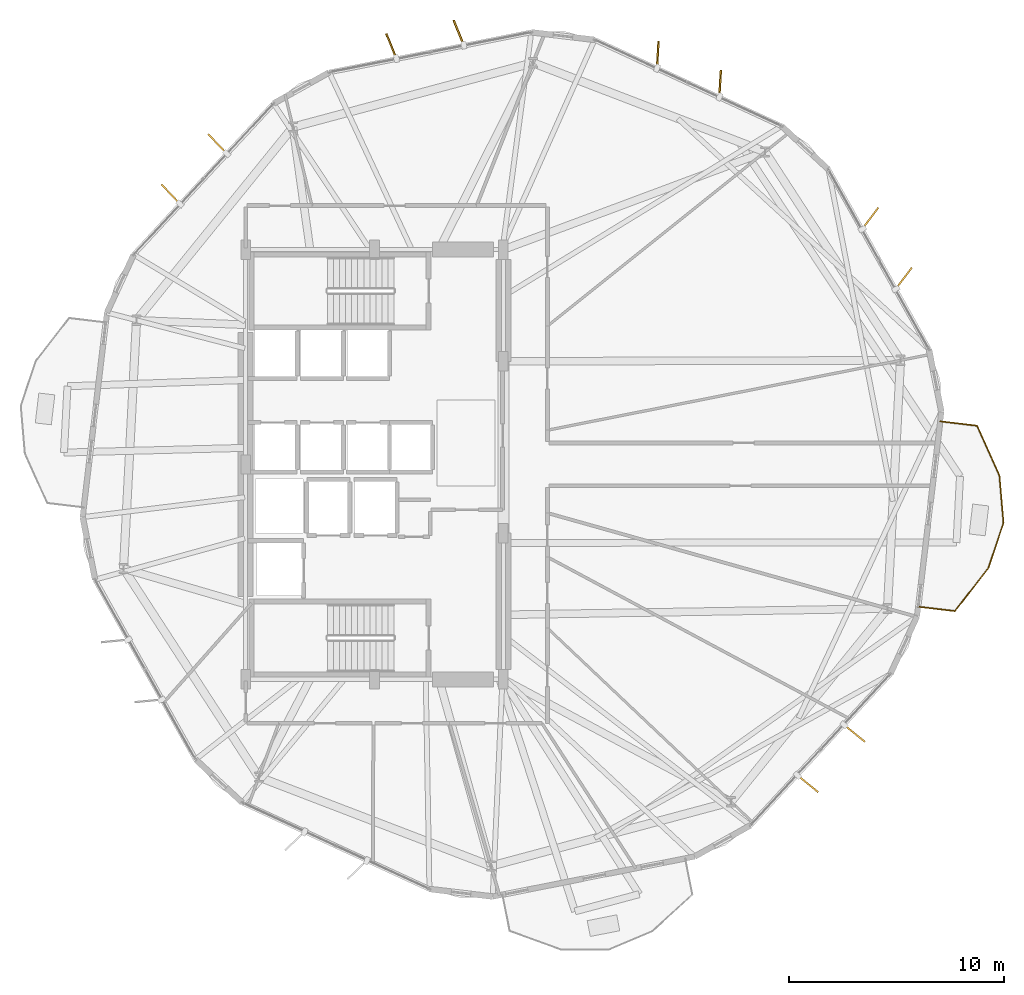
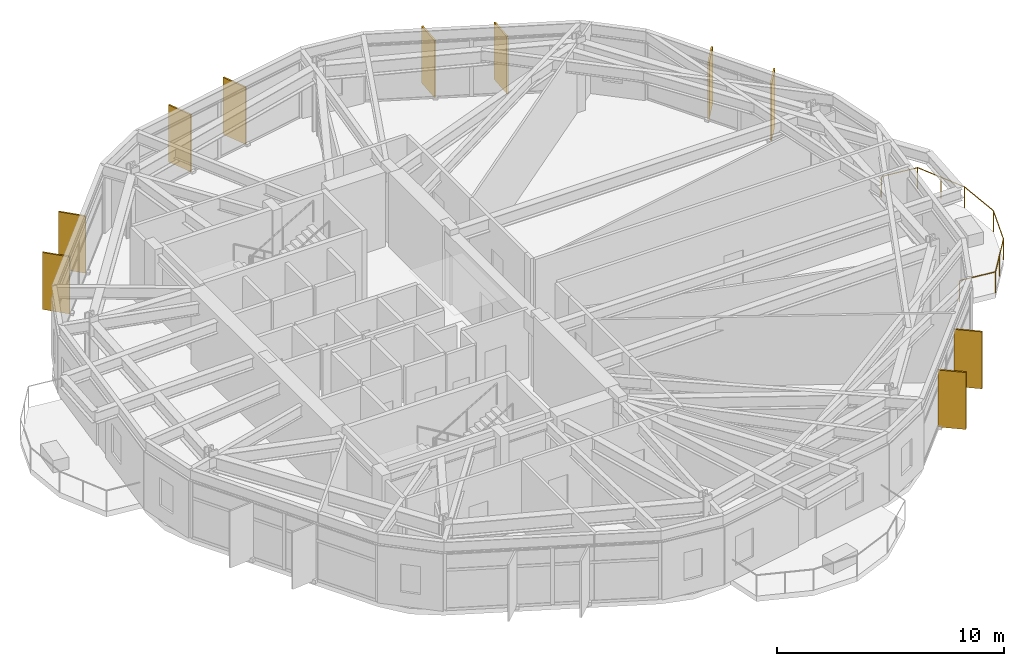
# One storey, part 22 of 22: 10 shading devices, 1 railing.
"""IFC4 building model written with IfcOpenShell, lengths in metres."""

import ifcopenshell
import ifcopenshell.guid

model = None  # the IFC model being written
_history = None  # IfcOwnerHistory: only IFC2X3 demands one
_inside = {}  # id of a spatial element -> (the spatial element, [elements in it])
_under = {}  # id of a project, library or spatial element -> (it, [spatial elements below it])
_declared = {}  # id of a project -> (the project, [libraries it declares])
_typed = {}  # id of a type object -> (the type object, [elements of that type])
_made_of = {}  # id of a material, layer set ... -> (it, [elements and type objects made of it])


def new_model(schema):
    """Start an empty IFC model of exactly this schema.

    Asked for "IFC4X3", IfcOpenShell would pick the latest addendum, in which some entities
    have other attributes; the version numbers below select the first issue.
    IFC2X3 requires an IfcOwnerHistory on every rooted entity: one is made here for all.
    """
    global model, _history
    if schema == "IFC4X3":
        model = ifcopenshell.file(schema_version=(4, 3, 0, 0))
    else:
        model = ifcopenshell.file(schema=schema)
    _inside.clear()
    _under.clear()
    _declared.clear()
    _typed.clear()
    _made_of.clear()
    _history = None
    if model.schema == "IFC2X3":
        org = make("IfcOrganization", Name="unknown")
        user = make(
            "IfcPersonAndOrganization",
            ThePerson=make("IfcPerson", FamilyName="unknown"),
            TheOrganization=org,
        )
        app = make(
            "IfcApplication",
            ApplicationDeveloper=org,
            Version="unknown",
            ApplicationFullName="unknown",
            ApplicationIdentifier="unknown",
        )
        _history = make(
            "IfcOwnerHistory",
            OwningUser=user,
            OwningApplication=app,
            ChangeAction="ADDED",
            CreationDate=0,
        )
    return model


def make(cls, **values):
    """One entity of the class cls with the attributes given. An attribute that is None is left unset."""
    return model.create_entity(
        cls, **{name: value for name, value in values.items() if value is not None}
    )


def rooted(cls, **values):
    """An entity with a GlobalId (a new one), such as an element, a storey or a relation."""
    return make(cls, GlobalId=ifcopenshell.guid.new(), OwnerHistory=_history, **values)


def si_unit(unit_type, name, prefix=None):
    """IfcSIUnit, for example si_unit("LENGTHUNIT", "METRE", prefix="MILLI")."""
    return make("IfcSIUnit", UnitType=unit_type, Prefix=prefix, Name=name)


def assignment(units):
    """IfcUnitAssignment: the units of a project."""
    return None if units is None else make("IfcUnitAssignment", Units=units)


def point(xyz):
    """IfcCartesianPoint."""
    return None if xyz is None else make("IfcCartesianPoint", Coordinates=xyz)


def direction(xyz):
    """IfcDirection."""
    return None if xyz is None else make("IfcDirection", DirectionRatios=xyz)


def frame(location, z_axis=None, x_axis=None):
    """IfcAxis2Placement3D, a coordinate frame: its origin and axes. An axis left out is left unset."""
    return make(
        "IfcAxis2Placement3D",
        Location=point(location),
        Axis=direction(z_axis),
        RefDirection=direction(x_axis),
    )


def frame_2d(location, x_axis=None):
    """IfcAxis2Placement2D, a coordinate frame in the plane: its origin and x axis."""
    return make(
        "IfcAxis2Placement2D", Location=point(location), RefDirection=direction(x_axis)
    )


def origin():
    """The frame at (0, 0, 0) with its axes left unset."""
    return frame((0.0, 0.0, 0.0))


def origin_2d():
    """The frame at (0, 0) in the plane with its x axis left unset."""
    return frame_2d((0.0, 0.0))


def place(relative_to, where):
    """IfcLocalPlacement: puts the frame where relative to a parent placement (None: the world)."""
    return make(
        "IfcLocalPlacement", PlacementRelTo=relative_to, RelativePlacement=where
    )


def context(
    kind, dimensions, precision=None, world=None, true_north=None, identifier=None
):
    """IfcGeometricRepresentationContext, for example the 3D "Model" context."""
    return make(
        "IfcGeometricRepresentationContext",
        ContextIdentifier=identifier,
        ContextType=kind,
        CoordinateSpaceDimension=dimensions,
        Precision=precision,
        WorldCoordinateSystem=world,
        TrueNorth=true_north,
    )


def subcontext(parent, identifier, kind, view, scale=None):
    """IfcGeometricRepresentationSubContext, for example "Body" below "Model"."""
    return make(
        "IfcGeometricRepresentationSubContext",
        ContextIdentifier=identifier,
        ContextType=kind,
        ParentContext=parent,
        TargetScale=scale,
        TargetView=view,
    )


def project(units=None, contexts=None):
    """IfcProject with its units and contexts."""
    return rooted(
        "IfcProject",
        Name="project",
        RepresentationContexts=contexts,
        UnitsInContext=assignment(units),
    )


def spatial(cls, under=None, at=None, **own):
    """A site, building, storey or space (cls), placed at a placement, below another one or the project."""
    s = rooted(cls, ObjectPlacement=at, **own)
    if under is not None:
        _under.setdefault(under.id(), (under, []))[1].append(s)
    return s


def profile(cls, at=None, kind="AREA", **sizes):
    """A parametric profile (cls). Its sizes go by their IFC names, for example OverallWidth=200.0."""
    return make(cls, ProfileType=kind, Position=at, **sizes)


def rectangle(**sizes):
    """IfcRectangleProfileDef."""
    return profile("IfcRectangleProfileDef", **sizes)


def circle(**sizes):
    """IfcCircleProfileDef."""
    return profile("IfcCircleProfileDef", **sizes)


def extrude(swept, where, along, depth):
    """IfcExtrudedAreaSolid: the profile swept, set in the frame where, extruded along a direction by depth."""
    return make(
        "IfcExtrudedAreaSolid",
        SweptArea=swept,
        Position=where,
        ExtrudedDirection=direction(along),
        Depth=depth,
    )


def shape(context_of_items, identifier, shape_type, items):
    """IfcShapeRepresentation: the items that make up one representation, for example the "Body"."""
    return make(
        "IfcShapeRepresentation",
        ContextOfItems=context_of_items,
        RepresentationIdentifier=identifier,
        RepresentationType=shape_type,
        Items=items,
    )


def material(Name=None, Category=None):
    """IfcMaterial."""
    return make("IfcMaterial", Name=Name, Category=Category)


def layer(
    of_material, thickness, ventilated=None, Name=None, Category=None, Priority=None
):
    """IfcMaterialLayer: one layer of a wall or slab, of a material (None: an air gap)."""
    return make(
        "IfcMaterialLayer",
        Material=of_material,
        LayerThickness=thickness,
        IsVentilated=ventilated,
        Name=Name,
        Category=Category,
        Priority=Priority,
    )


def layer_set(layers, Name=None):
    """IfcMaterialLayerSet."""
    return make("IfcMaterialLayerSet", MaterialLayers=layers, LayerSetName=Name)


def made_of(thing, what):
    """Note that an element or type object is made of a material, layer set ...; save() writes the relation."""
    if what is not None:
        _made_of.setdefault(what.id(), (what, []))[1].append(thing)
    return thing


def type_object(cls, material=None, **own):
    """A type object (cls), such as IfcWallType, which elements share."""
    return made_of(rooted(cls, **own), material)


def element(
    cls,
    number,
    at=None,
    inside=None,
    cuts=None,
    type_object=None,
    material=None,
    context=None,
    identifier="Body",
    shape_type=None,
    held_by="IfcProductDefinitionShape",
    body=None,
    shapes=None,
    **own,
):
    """One element of the class cls, such as IfcWall. Its Tag is "e" and its number.

    at: its placement. inside: the storey or other place that contains it. cuts: it is an
    opening in that element (IfcRelVoidsElement). A single representation is given by context,
    identifier, shape_type and body (its items); several are given by shapes. held_by: the class
    of the entity that holds the representations. save() writes the other relations.
    """
    e = rooted(cls, Tag="e%d" % number, ObjectPlacement=at, **own)
    if body is not None:
        shapes = [shape(context, identifier, shape_type, body)]
    if shapes is not None:
        e.Representation = make(held_by, Representations=shapes)
    if inside is not None:
        _inside.setdefault(inside.id(), (inside, []))[1].append(e)
    if cuts is not None:
        rooted(
            "IfcRelVoidsElement", RelatingBuildingElement=cuts, RelatedOpeningElement=e
        )
    if type_object is not None:
        _typed.setdefault(type_object.id(), (type_object, []))[1].append(e)
    return made_of(e, material)


def aggregate(whole, parts):
    """IfcRelAggregates: a whole, such as a stair, and the parts it consists of."""
    return rooted("IfcRelAggregates", RelatingObject=whole, RelatedObjects=parts)


def save(model, path):
    """Write the relations noted so far, then the file.

    IfcRelAggregates (storeys below a building ...), IfcRelContainedInSpatialStructure (elements
    in a storey), IfcRelDefinesByType, IfcRelAssociatesMaterial and IfcRelDeclares: one each for
    every whole, place, type object, material and project.
    """
    for whole, parts in _under.values():
        aggregate(whole, parts)
    for where, things in _inside.values():
        rooted(
            "IfcRelContainedInSpatialStructure",
            RelatedElements=things,
            RelatingStructure=where,
        )
    for kind, things in _typed.values():
        rooted("IfcRelDefinesByType", RelatedObjects=things, RelatingType=kind)
    for what, things in _made_of.values():
        rooted("IfcRelAssociatesMaterial", RelatedObjects=things, RelatingMaterial=what)
    for by, libraries in _declared.values():
        rooted("IfcRelDeclares", RelatingContext=by, RelatedDefinitions=libraries)
    model.write(path)


model = new_model("IFC4")

# Units and contexts
model_context = context("Model", 3, precision=1e-05, world=origin(), true_north=direction((0.0, 1.0)))
body_context = subcontext(model_context, "Body", "Model", "MODEL_VIEW")
ifc_project = project(units=[si_unit("LENGTHUNIT", "METRE"), si_unit("AREAUNIT", "SQUARE_METRE"), si_unit("VOLUMEUNIT", "CUBIC_METRE"), si_unit("PLANEANGLEUNIT", "RADIAN"), si_unit("MASSUNIT", "GRAM", prefix="KILO")], contexts=[model_context])

# Site, building, storey
site_placement = place(None, origin())
site = spatial("IfcSite", under=ifc_project, at=site_placement, CompositionType="ELEMENT")
building_placement = place(site_placement, origin())
building = spatial("IfcBuilding", under=site, at=building_placement, Name="Soratama Intermodal Tower", CompositionType="ELEMENT")
storey_placement = place(building_placement, frame((0.0, 0.0, 70.60009765625)))
storey = spatial("IfcBuildingStorey", under=building, at=storey_placement, Name="L16", CompositionType="ELEMENT", Elevation=70.60009765625)

# Railing
ifc_material_1 = material(Name="Laminated glass and stainless steel balustrade", Category="steel")
railing_type = type_object("IfcRailingType", Name="RL-BAL-1150", PredefinedType="BALUSTRADE", material=ifc_material_1)
railing_placement = place(storey_placement, frame((64.933349609375, 27.005615234375, 0.0)))
element("IfcRailing", 1, at=railing_placement, inside=storey, type_object=railing_type, Name="L16 Balcony Balustrade 1", PredefinedType="BALUSTRADE", context=body_context, shape_type="SweptSolid", body=[
    extrude(circle(Radius=0.02392578125, at=origin_2d()), frame((0.0, 0.0, 1.1259765625), z_axis=(0.993000568198, -0.118109574373, 0.0), x_axis=(0.118109574373, 0.993000568198, 0.0)), (0.0, 0.0, 1.0), 1.7197265625),
    extrude(circle(Radius=0.02392578125, at=origin_2d()), frame((1.707763671875, -0.203125, 1.1259765625), z_axis=(0.412004315715, -0.911181893933, 0.0), x_axis=(0.911181893933, 0.412004315715, 0.0)), (0.0, 0.0, 1.0), 2.537353515625),
    extrude(circle(Radius=0.02392578125, at=origin_2d()), frame((2.753173828125, -2.51513671875, 1.1259765625), z_axis=(0.085404262899, -0.996346381475, 0.0), x_axis=(0.996346381475, 0.085404262899, 0.0)), (0.0, 0.0, 1.0), 2.21826171875),
    extrude(circle(Radius=0.02392578125, at=origin_2d()), frame((2.942626953125, -4.725341796875, 1.1259765625), z_axis=(-0.316623931055, -0.948551151116, 0.0), x_axis=(0.948551151116, -0.316623931055, 0.0)), (0.0, 0.0, 1.0), 2.21826171875),
    extrude(circle(Radius=0.02392578125, at=origin_2d()), frame((2.240234375, -6.82958984375, 1.1259765625), z_axis=(-0.61416041116, -0.789181214528, 0.0), x_axis=(0.789181214528, -0.61416041116, 0.0)), (0.0, 0.0, 1.0), 2.537353515625),
    extrude(circle(Radius=0.02392578125, at=origin_2d()), frame((0.681884765625, -8.83203125, 1.1259765625), z_axis=(-0.993002548084, 0.118092927388, 0.0), x_axis=(-0.118092927388, -0.993002548084, 0.0)), (0.0, 0.0, 1.0), 1.719970703125),
    extrude(circle(Radius=0.02099609375, at=origin_2d()), origin(), (0.0, 0.0, 1.0), 1.101806640625),
    extrude(circle(Radius=0.02099609375, at=origin_2d()), frame((1.707763671875, -0.203125, 0.0)), (0.0, 0.0, 1.0), 1.101806640625),
    extrude(circle(Radius=0.02099609375, at=origin_2d()), frame((2.23046875, -1.359130859375, 0.0)), (0.0, 0.0, 1.0), 1.101806640625),
    extrude(circle(Radius=0.02099609375, at=origin_2d()), frame((2.753173828125, -2.51513671875, 0.0)), (0.0, 0.0, 1.0), 1.101806640625),
    extrude(circle(Radius=0.02099609375, at=origin_2d()), frame((2.942626953125, -4.725341796875, 0.0)), (0.0, 0.0, 1.0), 1.101806640625),
    extrude(circle(Radius=0.02099609375, at=origin_2d()), frame((2.240234375, -6.82958984375, 0.0)), (0.0, 0.0, 1.0), 1.101806640625),
    extrude(circle(Radius=0.02099609375, at=origin_2d()), frame((1.4609375, -7.830810546875, 0.0)), (0.0, 0.0, 1.0), 1.101806640625),
    extrude(circle(Radius=0.02099609375, at=origin_2d()), frame((0.681884765625, -8.83203125, 0.0)), (0.0, 0.0, 1.0), 1.101806640625),
    extrude(circle(Radius=0.02099609375, at=origin_2d()), frame((-1.026123046875, -8.62890625, 0.0)), (0.0, 0.0, 1.0), 1.101806640625),
])

# Shading devices
ifc_material_2 = material(Name="Champagne anodised aluminium solar fin", Category="aluminium")
ifc_layer = layer(ifc_material_2, 0.080078125)
ifc_layer_set = layer_set([ifc_layer], Name="Champagne anodised aluminium solar fin")
shading_device_type = type_object("IfcShadingDeviceType", Name="SH-FIN-1250", PredefinedType="USERDEFINED", material=ifc_layer_set)
for number, where, z_axis, x_axis, name in (
    (2, (63.237548828125, 33.666748046875, 0.019775390625), (0.0, 0.0, 1.0), (0.602929541689, 0.797794439539, 0.0), "L16 Solar Fin F01-1"),
    (3, (61.677001953125, 36.45654296875, 0.019775390625), (0.0, 0.0, 1.0), (0.602929541689, 0.797794439539, 0.0), "L16 Solar Fin F01-2"),
    (4, (54.686279296875, 42.730224609375, 0.019775390625), (0.0, 0.0, 1.0), (0.059306373576, 0.998239827924, 0.0), "L16 Solar Fin F02-1"),
    (5, (51.7841796875, 44.070068359375, 0.019775390625), (0.0, 0.0, 1.0), (0.059306373576, 0.998239827924, 0.0), "L16 Solar Fin F02-2"),
    (6, (42.51953125, 45.091796875, 0.019775390625), (0.0, 0.0, 1.0), (-0.376547659716, 0.926397247385, 0.0), "L16 Solar Fin F03-1"),
    (7, (39.384033203125, 44.4697265625, 0.019775390625), (0.0, 0.0, 1.0), (-0.376547659716, 0.926397247385, 0.0), "L16 Solar Fin F03-2"),
    (8, (31.28759765625, 39.924072265625, 0.019775390625), (0.0, 0.0, 1.0), (-0.68797467622, 0.725734693176, 0.0), "L16 Solar Fin F04-1"),
    (9, (29.116455078125, 37.577880859375, 0.019775390625), (0.0, 0.0, 1.0), (-0.68797467622, 0.725734693176, 0.0), "L16 Solar Fin F04-2"),
    (10, (58.769775390625, 10.137939453125, 0.019775390625), (0.0, 0.0, 1.0), (0.776816343556, -0.629727217439, 0.0), "L16 Solar Fin F09-1"),
    (11, (60.94091796875, 12.484130859375, 0.019775390625), (0.0, 0.0, 1.0), (0.776816343556, -0.629727217439, 0.0), "L16 Solar Fin F09-2"),
):
    element("IfcShadingDevice", number, at=place(storey_placement, frame(where, z_axis=z_axis, x_axis=x_axis)), inside=storey, type_object=shading_device_type, Name=name, ObjectType="FIN", PredefinedType="USERDEFINED", context=body_context, shape_type="SweptSolid", body=[
        extrude(rectangle(XDim=1.25, YDim=0.080078125, at=origin_2d()), origin(), (0.0, 0.0, 1.0), 3.05908203125),
    ])

save(model, "model.ifc")
